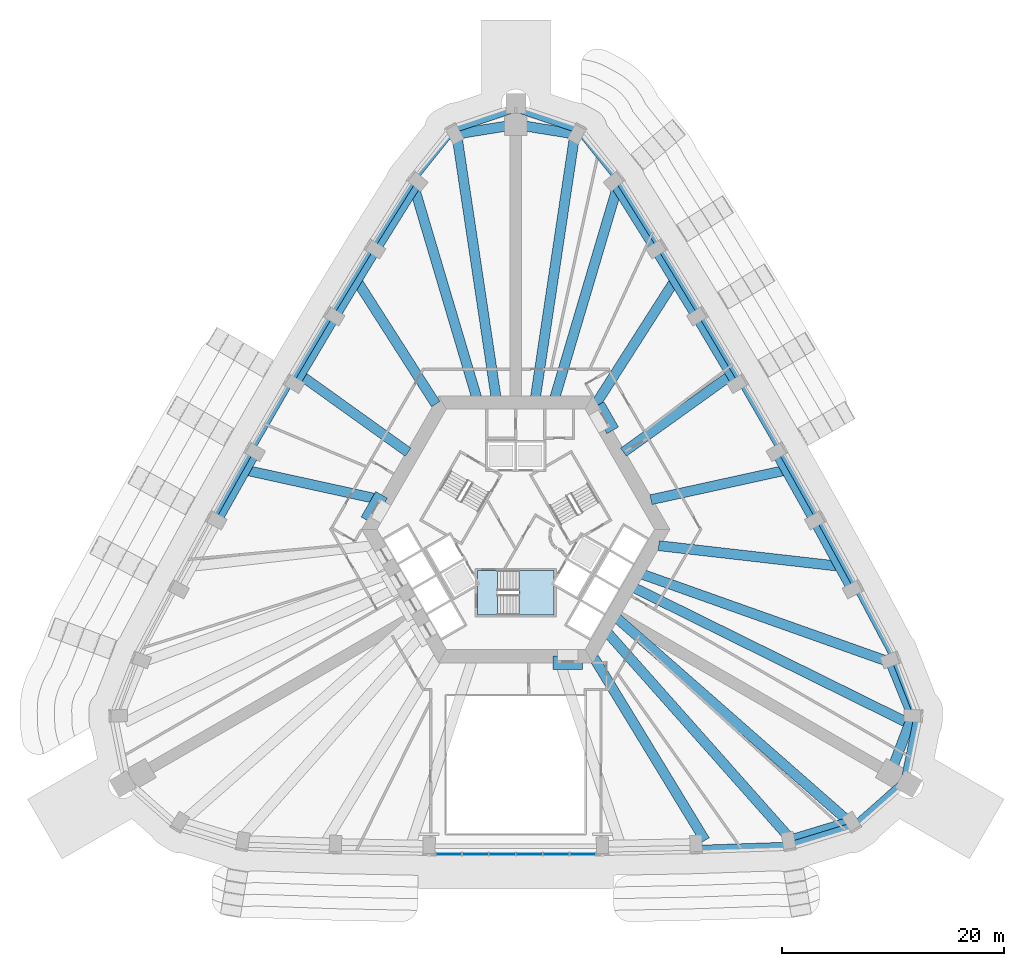
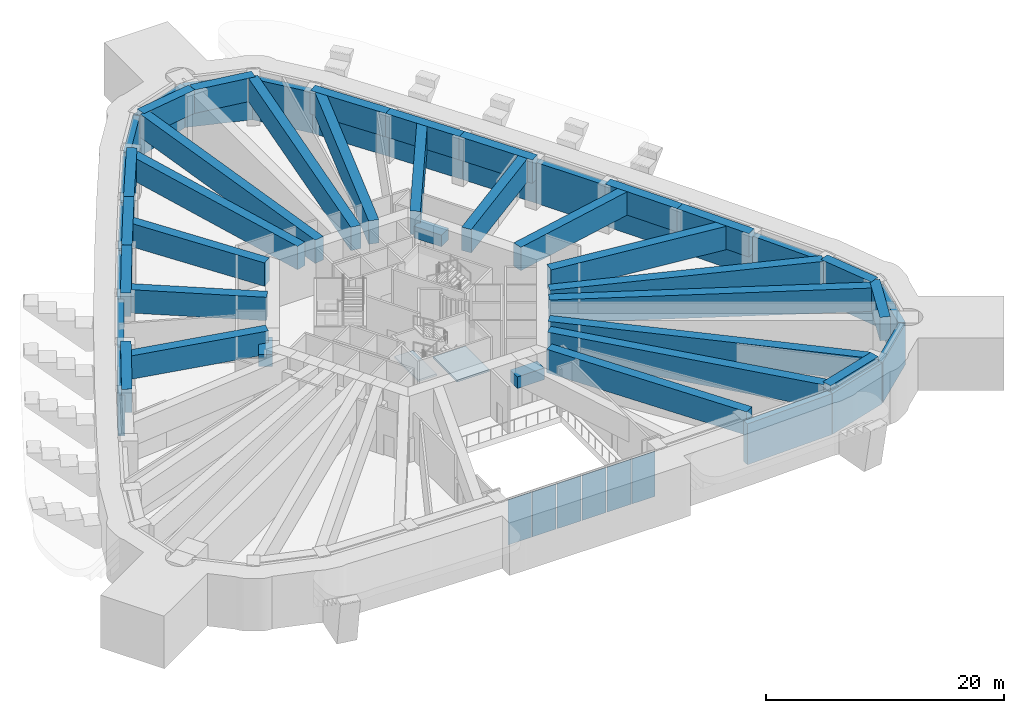
# One storey, part 3 of 20: 33 beams, 21 members, 6 plates, 2 slabs, 2 elements without a shape of their own.
"""IFC4 building model written with IfcOpenShell, lengths in metres."""

from ifc_helpers import new_model, si_unit, direction, frame, origin, origin_2d, place, context, subcontext, project, spatial, polyline, rectangle, outline, extrude, material, layer, layer_set, material_profile, profile_set, type_object, element, aggregate, save


model = new_model("IFC4")

# Units and contexts
model_context = context("Model", 3, precision=1e-05, world=origin(), true_north=direction((0.0, 1.0)))
body_context = subcontext(model_context, "Body", "Model", "MODEL_VIEW")
ifc_project = project(units=[si_unit("LENGTHUNIT", "METRE"), si_unit("AREAUNIT", "SQUARE_METRE"), si_unit("VOLUMEUNIT", "CUBIC_METRE"), si_unit("PLANEANGLEUNIT", "RADIAN"), si_unit("MASSUNIT", "GRAM", prefix="KILO")], contexts=[model_context])

# Site, building, storey
site_placement = place(None, origin())
site = spatial("IfcSite", under=ifc_project, at=site_placement, CompositionType="ELEMENT")
building_placement = place(site_placement, origin())
building = spatial("IfcBuilding", under=site, at=building_placement, Name="Entoto Arch Interchange Tower", CompositionType="ELEMENT")
storey_placement = place(building_placement, frame((0.0, 0.0, 184.39990234375)))
storey = spatial("IfcBuildingStorey", under=building, at=storey_placement, Name="L41", CompositionType="ELEMENT", Elevation=184.39990234375)

# Members
ifc_material_1 = material(Name="Concrete C50/60", Category="concrete")
ifc_material_profile_1 = material_profile(ifc_material_1, rectangle(XDim=0.60009765625, YDim=4.199951171875, at=origin_2d()))
ifc_profile_set_1 = profile_set([ifc_material_profile_1], Name="Concrete C50/60")
member_type = type_object("IfcMemberType", Name="Belt member RC 600x4200 C50/60", PredefinedType="USERDEFINED", material=ifc_profile_set_1)
member_1_placement = place(storey_placement, frame((16.221923828125, -26.201904296875, 2.10009765625), z_axis=(0.999409627733, 0.034356891506, 0.0), x_axis=(-0.034356891506, 0.999409627733, 0.0)))
element("IfcMember", 1, at=member_1_placement, inside=storey, type_object=member_type, Name="Belt beam 05 L41", ObjectType="BELT BEAM", PredefinedType="USERDEFINED", context=body_context, shape_type="SweptSolid", body=[
    extrude(rectangle(XDim=0.60009765625, YDim=4.199951171875, at=origin_2d()), origin(), (0.0, 0.0, 1.0), 8.3779296875),
])
member_2_placement = place(storey_placement, frame((24.594970703125, -25.9140625, 2.10009765625), z_axis=(0.955914069057, 0.29364654362, 0.0), x_axis=(-0.29364654362, 0.955914069057, 0.0)))
element("IfcMember", 2, at=member_2_placement, inside=storey, type_object=member_type, Name="Belt beam 06 L41", ObjectType="BELT BEAM", PredefinedType="USERDEFINED", context=body_context, shape_type="SweptSolid", body=[
    extrude(rectangle(XDim=0.60009765625, YDim=4.199951171875, at=origin_2d()), origin(), (0.0, 0.0, 1.0), 6.092529296875),
])
member_3_placement = place(storey_placement, frame((30.4189453125, -24.125, 2.10009765625), z_axis=(0.750140700189, 0.661278254535, 0.0), x_axis=(-0.661278254535, 0.750140700189, 0.0)))
element("IfcMember", 3, at=member_3_placement, inside=storey, type_object=member_type, Name="Belt beam 07 L41", ObjectType="BELT BEAM", PredefinedType="USERDEFINED", context=body_context, shape_type="SweptSolid", body=[
    extrude(rectangle(XDim=0.60009765625, YDim=4.199951171875, at=origin_2d()), origin(), (0.0, 0.0, 1.0), 5.99755859375),
])
member_4_placement = place(storey_placement, frame((34.91796875, -20.158935546875, 2.10009765625), z_axis=(0.197470796802, 0.980308769935, 0.0), x_axis=(-0.980308769935, 0.197470796802, 0.0)))
element("IfcMember", 4, at=member_4_placement, inside=storey, type_object=member_type, Name="Belt beam 08 L41", ObjectType="BELT BEAM", PredefinedType="USERDEFINED", context=body_context, shape_type="SweptSolid", body=[
    extrude(rectangle(XDim=0.60009765625, YDim=4.199951171875, at=origin_2d()), origin(), (0.0, 0.0, 1.0), 5.96044921875),
])
member_5_placement = place(storey_placement, frame((36.094970703125, -14.31591796875, 2.10009765625), z_axis=(-0.364909188347, 0.93104311622, 0.0), x_axis=(-0.93104311622, -0.364909188347, 0.0)))
element("IfcMember", 5, at=member_5_placement, inside=storey, type_object=member_type, Name="Belt beam 09 L41", ObjectType="BELT BEAM", PredefinedType="USERDEFINED", context=body_context, shape_type="SweptSolid", body=[
    extrude(rectangle(XDim=0.60009765625, YDim=4.199951171875, at=origin_2d()), origin(), (0.0, 0.0, 1.0), 5.560546875),
])
member_6_placement = place(storey_placement, frame((34.06591796875, -9.138916015625, 2.10009765625), z_axis=(-0.468778304304, 0.883315855973, 0.0), x_axis=(-0.883315855973, -0.468778304304, 0.0)))
element("IfcMember", 6, at=member_6_placement, inside=storey, type_object=member_type, Name="Belt beam 10 L41", ObjectType="BELT BEAM", PredefinedType="USERDEFINED", context=body_context, shape_type="SweptSolid", body=[
    extrude(rectangle(XDim=0.60009765625, YDim=4.199951171875, at=origin_2d()), origin(), (0.0, 0.0, 1.0), 7.2783203125),
])
member_7_placement = place(storey_placement, frame((30.654052734375, -2.7099609375, 2.10009765625), z_axis=(-0.479292334149, 0.877655318691, 0.0), x_axis=(-0.877655318691, -0.479292334149, 0.0)))
element("IfcMember", 7, at=member_7_placement, inside=storey, type_object=member_type, Name="Belt beam 11 L41", ObjectType="BELT BEAM", PredefinedType="USERDEFINED", context=body_context, shape_type="SweptSolid", body=[
    extrude(rectangle(XDim=0.60009765625, YDim=4.199951171875, at=origin_2d()), origin(), (0.0, 0.0, 1.0), 7.0712890625),
])
member_8_placement = place(storey_placement, frame((27.264892578125, 3.49609375, 2.10009765625), z_axis=(-0.489639774428, 0.871924819751, 0.0), x_axis=(-0.871924819751, -0.489639774428, 0.0)))
element("IfcMember", 8, at=member_8_placement, inside=storey, type_object=member_type, Name="Belt beam 12 L41", ObjectType="BELT BEAM", PredefinedType="USERDEFINED", context=body_context, shape_type="SweptSolid", body=[
    extrude(rectangle(XDim=0.60009765625, YDim=4.199951171875, at=origin_2d()), origin(), (0.0, 0.0, 1.0), 7.0703125),
])
member_9_placement = place(storey_placement, frame((23.802978515625, 9.660888671875, 2.10009765625), z_axis=(-0.499975532338, 0.866039529735, 0.0), x_axis=(-0.866039529735, -0.499975532338, 0.0)))
element("IfcMember", 9, at=member_9_placement, inside=storey, type_object=member_type, Name="Belt beam 13 L41", ObjectType="BELT BEAM", PredefinedType="USERDEFINED", context=body_context, shape_type="SweptSolid", body=[
    extrude(rectangle(XDim=0.60009765625, YDim=4.199951171875, at=origin_2d()), origin(), (0.0, 0.0, 1.0), 7.070068359375),
])
member_10_placement = place(storey_placement, frame((20.26806640625, 15.783935546875, 2.10009765625), z_axis=(-0.510178103245, 0.860068778046, 0.0), x_axis=(-0.860068778046, -0.510178103245, 0.0)))
element("IfcMember", 10, at=member_10_placement, inside=storey, type_object=member_type, Name="Belt beam 14 L41", ObjectType="BELT BEAM", PredefinedType="USERDEFINED", context=body_context, shape_type="SweptSolid", body=[
    extrude(rectangle(XDim=0.60009765625, YDim=4.199951171875, at=origin_2d()), origin(), (0.0, 0.0, 1.0), 7.0703125),
])
member_11_placement = place(storey_placement, frame((16.660888671875, 21.864990234375, 2.10009765625), z_axis=(-0.5205196441, 0.853849694095, 0.0), x_axis=(-0.853849694095, -0.5205196441, 0.0)))
element("IfcMember", 11, at=member_11_placement, inside=storey, type_object=member_type, Name="Belt beam 15 L41", ObjectType="BELT BEAM", PredefinedType="USERDEFINED", context=body_context, shape_type="SweptSolid", body=[
    extrude(rectangle(XDim=0.60009765625, YDim=4.199951171875, at=origin_2d()), origin(), (0.0, 0.0, 1.0), 7.071533203125),
])
member_12_placement = place(storey_placement, frame((12.97998046875, 27.903076171875, 2.10009765625), z_axis=(-0.530794758965, 0.847500397554, 0.0), x_axis=(-0.847500397554, -0.530794758965, 0.0)))
element("IfcMember", 12, at=member_12_placement, inside=storey, type_object=member_type, Name="Belt beam 16 L41", ObjectType="BELT BEAM", PredefinedType="USERDEFINED", context=body_context, shape_type="SweptSolid", body=[
    extrude(rectangle(XDim=0.60009765625, YDim=4.199951171875, at=origin_2d()), origin(), (0.0, 0.0, 1.0), 7.27783203125),
])
member_13_placement = place(storey_placement, frame((9.116943359375, 34.071044921875, 2.10009765625), z_axis=(-0.623714379408, 0.78165233507, 0.0), x_axis=(-0.78165233507, -0.623714379408, 0.0)))
element("IfcMember", 13, at=member_13_placement, inside=storey, type_object=member_type, Name="Belt beam 17 L41", ObjectType="BELT BEAM", PredefinedType="USERDEFINED", context=body_context, shape_type="SweptSolid", body=[
    extrude(rectangle(XDim=0.60009765625, YDim=4.199951171875, at=origin_2d()), origin(), (0.0, 0.0, 1.0), 5.55859375),
])
for number, where, z_axis, x_axis, name in (
    (14, (5.64990234375, 38.416015625, 2.10009765625), (-0.947683496424, 0.319211513898, 0.0), (-0.319211513898, -0.947683496424, 0.0), "Belt beam 18 L41"),
    (15, (0.0, 40.319091796875, 2.10009765625), (-0.947683496424, -0.319211513898, 0.0), (0.319211513898, -0.947683496424, 0.0), "Belt beam 19 L41"),
):
    element("IfcMember", number, at=place(storey_placement, frame(where, z_axis=z_axis, x_axis=x_axis)), inside=storey, type_object=member_type, Name=name, ObjectType="BELT BEAM", PredefinedType="USERDEFINED", context=body_context, shape_type="SweptSolid", body=[
        extrude(rectangle(XDim=0.60009765625, YDim=4.199951171875, at=origin_2d()), origin(), (0.0, 0.0, 1.0), 5.9619140625),
    ])
member_14_placement = place(storey_placement, frame((-5.64990234375, 38.416015625, 2.10009765625), z_axis=(-0.623714379408, -0.78165233507, 0.0), x_axis=(0.78165233507, -0.623714379408, 0.0)))
element("IfcMember", 16, at=member_14_placement, inside=storey, type_object=member_type, Name="Belt beam 20 L41", ObjectType="BELT BEAM", PredefinedType="USERDEFINED", context=body_context, shape_type="SweptSolid", body=[
    extrude(rectangle(XDim=0.60009765625, YDim=4.199951171875, at=origin_2d()), origin(), (0.0, 0.0, 1.0), 5.55859375),
])
member_15_placement = place(storey_placement, frame((-9.116943359375, 34.071044921875, 2.10009765625), z_axis=(-0.530794758965, -0.847500397554, 0.0), x_axis=(0.847500397554, -0.530794758965, 0.0)))
element("IfcMember", 17, at=member_15_placement, inside=storey, type_object=member_type, Name="Belt beam 21 L41", ObjectType="BELT BEAM", PredefinedType="USERDEFINED", context=body_context, shape_type="SweptSolid", body=[
    extrude(rectangle(XDim=0.60009765625, YDim=4.199951171875, at=origin_2d()), origin(), (0.0, 0.0, 1.0), 7.27783203125),
])
member_16_placement = place(storey_placement, frame((-12.97998046875, 27.903076171875, 2.10009765625), z_axis=(-0.5205196441, -0.853849694095, 0.0), x_axis=(0.853849694095, -0.5205196441, 0.0)))
element("IfcMember", 18, at=member_16_placement, inside=storey, type_object=member_type, Name="Belt beam 22 L41", ObjectType="BELT BEAM", PredefinedType="USERDEFINED", context=body_context, shape_type="SweptSolid", body=[
    extrude(rectangle(XDim=0.60009765625, YDim=4.199951171875, at=origin_2d()), origin(), (0.0, 0.0, 1.0), 7.071533203125),
])
member_17_placement = place(storey_placement, frame((-16.660888671875, 21.864990234375, 2.10009765625), z_axis=(-0.510178103245, -0.860068778046, 0.0), x_axis=(0.860068778046, -0.510178103245, 0.0)))
element("IfcMember", 19, at=member_17_placement, inside=storey, type_object=member_type, Name="Belt beam 23 L41", ObjectType="BELT BEAM", PredefinedType="USERDEFINED", context=body_context, shape_type="SweptSolid", body=[
    extrude(rectangle(XDim=0.60009765625, YDim=4.199951171875, at=origin_2d()), origin(), (0.0, 0.0, 1.0), 7.0703125),
])
member_18_placement = place(storey_placement, frame((-20.26806640625, 15.783935546875, 2.10009765625), z_axis=(-0.499975532338, -0.866039529735, 0.0), x_axis=(0.866039529735, -0.499975532338, 0.0)))
element("IfcMember", 20, at=member_18_placement, inside=storey, type_object=member_type, Name="Belt beam 24 L41", ObjectType="BELT BEAM", PredefinedType="USERDEFINED", context=body_context, shape_type="SweptSolid", body=[
    extrude(rectangle(XDim=0.60009765625, YDim=4.199951171875, at=origin_2d()), origin(), (0.0, 0.0, 1.0), 7.070068359375),
])
member_19_placement = place(storey_placement, frame((-23.802978515625, 9.660888671875, 2.10009765625), z_axis=(-0.489639774428, -0.871924819751, 0.0), x_axis=(0.871924819751, -0.489639774428, 0.0)))
element("IfcMember", 21, at=member_19_placement, inside=storey, type_object=member_type, Name="Belt beam 25 L41", ObjectType="BELT BEAM", PredefinedType="USERDEFINED", context=body_context, shape_type="SweptSolid", body=[
    extrude(rectangle(XDim=0.60009765625, YDim=4.199951171875, at=origin_2d()), origin(), (0.0, 0.0, 1.0), 7.0703125),
])

# Beams
ifc_material_profile_2 = material_profile(ifc_material_1, rectangle(XDim=1.199951171875, YDim=1.199951171875, at=origin_2d()))
ifc_profile_set_2 = profile_set([ifc_material_profile_2], Name="Concrete C50/60")
beam_type_1 = type_object("IfcBeamType", Name="Coupling beam RC 1200x1200 C50/60", PredefinedType="BEAM", material=ifc_profile_set_2)
for number, where, z_axis, x_axis, name in (
    (22, (8.718017578125, 11.40087890625, 3.0), (-0.499912608224, 0.866075853571, 0.0), (-0.866075853571, -0.499912608224, 0.0), "Coupling beam NE L41"),
    (23, (-12.06689453125, 5.59912109375, 3.0), (-0.499982224273, -0.866035666362, 0.0), (0.866035666362, -0.499982224273, 0.0), "Coupling beam NW L41"),
):
    element("IfcBeam", number, at=place(storey_placement, frame(where, z_axis=z_axis, x_axis=x_axis)), inside=storey, type_object=beam_type_1, Name=name, PredefinedType="BEAM", context=body_context, shape_type="SweptSolid", body=[
        extrude(rectangle(XDim=1.199951171875, YDim=1.199951171875, at=origin_2d()), origin(), (0.0, 0.0, 1.0), 2.63037109375),
    ])
beam_1_placement = place(storey_placement, frame((3.35009765625, -9.5, 3.0), z_axis=(1.0, 0.0, 0.0), x_axis=(0.0, 1.0, 0.0)))
element("IfcBeam", 24, at=beam_1_placement, inside=storey, type_object=beam_type_1, Name="Coupling beam S L41", PredefinedType="BEAM", context=body_context, shape_type="SweptSolid", body=[
    extrude(rectangle(XDim=1.199951171875, YDim=1.199951171875, at=origin_2d()), origin(), (0.0, 0.0, 1.0), 2.6298828125),
])
ifc_material_profile_3 = material_profile(ifc_material_1, rectangle(XDim=0.89990234375, YDim=2.39990234375, at=origin_2d()))
ifc_profile_set_3 = profile_set([ifc_material_profile_3], Name="Concrete C50/60")
beam_type_2 = type_object("IfcBeamType", Name="Transfer beam RC 900x2400 C50/60", PredefinedType="BEAM", material=ifc_profile_set_3)
beam_2_placement = place(storey_placement, frame((7.031982421875, -9.055908203125, 3.60009765625), z_axis=(0.519813021279, -0.854280061168, 0.0), x_axis=(0.854280061168, 0.519813021279, 0.0)))
element("IfcBeam", 25, at=beam_2_placement, inside=storey, type_object=beam_type_2, Name="Transfer beam S05 L41", PredefinedType="BEAM", context=body_context, shape_type="SweptSolid", body=[
    extrude(rectangle(XDim=0.89990234375, YDim=2.39990234375, at=origin_2d()), origin(), (0.0, 0.0, 1.0), 19.201171875),
])
beam_3_placement = place(storey_placement, frame((8.294921875, -6.846923828125, 3.60009765625), z_axis=(0.663776106148, -0.747931334353, 0.0), x_axis=(0.747931334353, 0.663776106148, 0.0)))
element("IfcBeam", 26, at=beam_3_placement, inside=storey, type_object=beam_type_2, Name="Transfer beam S06 L41", PredefinedType="BEAM", context=body_context, shape_type="SweptSolid", body=[
    extrude(rectangle(XDim=0.89990234375, YDim=2.39990234375, at=origin_2d()), origin(), (0.0, 0.0, 1.0), 24.50244140625),
])
beam_4_placement = place(storey_placement, frame((24.51806640625, -25.469970703125, 3.60009765625), z_axis=(0.95689677686, 0.290428232849, 0.0), x_axis=(-0.290428232849, 0.95689677686, 0.0)))
element("IfcBeam", 27, at=beam_4_placement, inside=storey, type_object=beam_type_2, Name="Transfer girder S06 L41", PredefinedType="BEAM", context=body_context, shape_type="SweptSolid", body=[
    extrude(rectangle(XDim=0.89990234375, YDim=2.39990234375, at=origin_2d()), origin(), (0.0, 0.0, 1.0), 5.90869140625),
])
beam_5_placement = place(storey_placement, frame((9.083984375, -5.470947265625, 3.60009765625), z_axis=(0.751634040865, -0.659580373126, 0.0), x_axis=(0.659580373126, 0.751634040865, 0.0)))
element("IfcBeam", 28, at=beam_5_placement, inside=storey, type_object=beam_type_2, Name="Transfer beam SE1 L41", PredefinedType="BEAM", context=body_context, shape_type="SweptSolid", body=[
    extrude(rectangle(XDim=0.89990234375, YDim=2.39990234375, at=origin_2d()), origin(), (0.0, 0.0, 1.0), 27.505615234375),
])
beam_6_placement = place(storey_placement, frame((10.64794921875, -2.758056640625, 3.60009765625), z_axis=(0.896629781891, -0.442781022884, 0.0), x_axis=(0.442781022884, 0.896629781891, 0.0)))
element("IfcBeam", 29, at=beam_6_placement, inside=storey, type_object=beam_type_2, Name="Transfer beam SE3 L41", PredefinedType="BEAM", context=body_context, shape_type="SweptSolid", body=[
    extrude(rectangle(XDim=0.89990234375, YDim=2.39990234375, at=origin_2d()), origin(), (0.0, 0.0, 1.0), 27.28662109375),
])
beam_7_placement = place(storey_placement, frame((33.679931640625, -19.444091796875, 3.60009765625), z_axis=(0.355911254477, 0.934519758452, 0.0), x_axis=(-0.934519758452, 0.355911254477, 0.0)))
element("IfcBeam", 30, at=beam_7_placement, inside=storey, type_object=beam_type_2, Name="Transfer girder SE3 L41", PredefinedType="BEAM", context=body_context, shape_type="SweptSolid", body=[
    extrude(rectangle(XDim=0.89990234375, YDim=2.39990234375, at=origin_2d()), origin(), (0.0, 0.0, 1.0), 5.554931640625),
])
beam_8_placement = place(storey_placement, frame((11.35791015625, -1.531982421875, 3.60009765625), z_axis=(0.942373998931, -0.334561274116, 0.0), x_axis=(0.334561274116, 0.942373998931, 0.0)))
element("IfcBeam", 31, at=beam_8_placement, inside=storey, type_object=beam_type_2, Name="Transfer beam NE01 L41", PredefinedType="BEAM", context=body_context, shape_type="SweptSolid", body=[
    extrude(rectangle(XDim=0.89990234375, YDim=2.39990234375, at=origin_2d()), origin(), (0.0, 0.0, 1.0), 23.418701171875),
])
beam_9_placement = place(storey_placement, frame((35.656982421875, -14.2529296875, 3.60009765625), z_axis=(-0.376957012581, 0.926230754545, 0.0), x_axis=(-0.926230754545, -0.376957012581, 0.0)))
element("IfcBeam", 32, at=beam_9_placement, inside=storey, type_object=beam_type_2, Name="Transfer girder NE01 L41", PredefinedType="BEAM", context=body_context, shape_type="SweptSolid", body=[
    extrude(rectangle(XDim=0.89990234375, YDim=2.39990234375, at=origin_2d()), origin(), (0.0, 0.0, 1.0), 5.38525390625),
])
beam_10_placement = place(storey_placement, frame((12.85107421875, 1.033935546875, 3.60009765625), z_axis=(0.993557055038, -0.113333041888, 0.0), x_axis=(0.113333041888, 0.993557055038, 0.0)))
element("IfcBeam", 33, at=beam_10_placement, inside=storey, type_object=beam_type_2, Name="Transfer beam NE02 L41", PredefinedType="BEAM", context=body_context, shape_type="SweptSolid", body=[
    extrude(rectangle(XDim=0.89990234375, YDim=2.39990234375, at=origin_2d()), origin(), (0.0, 0.0, 1.0), 16.057373046875),
])
beam_11_placement = place(storey_placement, frame((30.251953125, -2.922119140625, 3.60009765625), z_axis=(-0.479401638479, 0.877595618166, 0.0), x_axis=(-0.877595618166, -0.479401638479, 0.0)))
element("IfcBeam", 34, at=beam_11_placement, inside=storey, type_object=beam_type_2, Name="Transfer girder NE02 L41", PredefinedType="BEAM", context=body_context, shape_type="SweptSolid", body=[
    extrude(rectangle(XDim=0.89990234375, YDim=2.39990234375, at=origin_2d()), origin(), (0.0, 0.0, 1.0), 7.06494140625),
])
beam_12_placement = place(storey_placement, frame((12.153076171875, 5.1650390625, 3.60009765625), z_axis=(0.976796167871, 0.21417106815, 0.0), x_axis=(-0.21417106815, 0.976796167871, 0.0)))
element("IfcBeam", 35, at=beam_12_placement, inside=storey, type_object=beam_type_2, Name="Transfer beam NE03 L41", PredefinedType="BEAM", context=body_context, shape_type="SweptSolid", body=[
    extrude(rectangle(XDim=0.89990234375, YDim=2.39990234375, at=origin_2d()), origin(), (0.0, 0.0, 1.0), 12.144775390625),
])
beam_13_placement = place(storey_placement, frame((26.864990234375, 3.278076171875, 3.60009765625), z_axis=(-0.489632513848, 0.871928896977, 0.0), x_axis=(-0.871928896977, -0.489632513848, 0.0)))
element("IfcBeam", 36, at=beam_13_placement, inside=storey, type_object=beam_type_2, Name="Transfer girder NE03 L41", PredefinedType="BEAM", context=body_context, shape_type="SweptSolid", body=[
    extrude(rectangle(XDim=0.89990234375, YDim=2.39990234375, at=origin_2d()), origin(), (0.0, 0.0, 1.0), 7.0625),
])
beam_14_placement = place(storey_placement, frame((9.679931640625, 9.43505859375, 3.60009765625), z_axis=(0.812913159186, 0.582384920497, 0.0), x_axis=(-0.582384920497, 0.812913159186, 0.0)))
element("IfcBeam", 37, at=beam_14_placement, inside=storey, type_object=beam_type_2, Name="Transfer beam NE04 L41", PredefinedType="BEAM", context=body_context, shape_type="SweptSolid", body=[
    extrude(rectangle(XDim=0.89990234375, YDim=2.39990234375, at=origin_2d()), origin(), (0.0, 0.0, 1.0), 11.634765625),
])
beam_15_placement = place(storey_placement, frame((19.8759765625, 15.553955078125, 3.60009765625), z_axis=(-0.510285553106, 0.86000503155, 0.0), x_axis=(-0.86000503155, -0.510285553106, 0.0)))
element("IfcBeam", 38, at=beam_15_placement, inside=storey, type_object=beam_type_2, Name="Transfer girder NE04 L41", PredefinedType="BEAM", context=body_context, shape_type="SweptSolid", body=[
    extrude(rectangle(XDim=0.89990234375, YDim=2.39990234375, at=origin_2d()), origin(), (0.0, 0.0, 1.0), 7.062744140625),
])
beam_16_placement = place(storey_placement, frame((7.197998046875, 13.76611328125, 3.60009765625), z_axis=(0.538419936208, 0.842676671265, 0.0), x_axis=(-0.842676671265, 0.538419936208, 0.0)))
element("IfcBeam", 39, at=beam_16_placement, inside=storey, type_object=beam_type_2, Name="Transfer beam NE05 L41", PredefinedType="BEAM", context=body_context, shape_type="SweptSolid", body=[
    extrude(rectangle(XDim=0.89990234375, YDim=2.39990234375, at=origin_2d()), origin(), (0.0, 0.0, 1.0), 12.88037109375),
])
beam_17_placement = place(storey_placement, frame((16.27197265625, 21.6279296875, 3.60009765625), z_axis=(-0.520399707258, 0.853922797849, 0.0), x_axis=(-0.853922797849, -0.520399707258, 0.0)))
element("IfcBeam", 40, at=beam_17_placement, inside=storey, type_object=beam_type_2, Name="Transfer girder NE05 L41", PredefinedType="BEAM", context=body_context, shape_type="SweptSolid", body=[
    extrude(rectangle(XDim=0.89990234375, YDim=2.39990234375, at=origin_2d()), origin(), (0.0, 0.0, 1.0), 7.06396484375),
])
beam_18_placement = place(storey_placement, frame((3.51904296875, 14.35595703125, 3.60009765625), z_axis=(0.28452015401, 0.958670058968, 0.0), x_axis=(-0.958670058968, 0.28452015401, 0.0)))
element("IfcBeam", 41, at=beam_18_placement, inside=storey, type_object=beam_type_2, Name="Transfer beam NE06 L41", PredefinedType="BEAM", context=body_context, shape_type="SweptSolid", body=[
    extrude(rectangle(XDim=0.89990234375, YDim=2.39990234375, at=origin_2d()), origin(), (0.0, 0.0, 1.0), 19.383056640625),
])
beam_19_placement = place(storey_placement, frame((12.595947265625, 27.659912109375, 3.60009765625), z_axis=(-0.529812623101, 0.848114723609, 0.0), x_axis=(-0.848114723609, -0.529812623101, 0.0)))
element("IfcBeam", 42, at=beam_19_placement, inside=storey, type_object=beam_type_2, Name="Transfer girder NE06 L41", PredefinedType="BEAM", context=body_context, shape_type="SweptSolid", body=[
    extrude(rectangle(XDim=0.89990234375, YDim=2.39990234375, at=origin_2d()), origin(), (0.0, 0.0, 1.0), 7.185302734375),
])
beam_20_placement = place(storey_placement, frame((1.77099609375, 14.35205078125, 3.60009765625), z_axis=(0.147858251506, 0.989008562886, 0.0), x_axis=(-0.989008562886, 0.147858251506, 0.0)))
element("IfcBeam", 43, at=beam_20_placement, inside=storey, type_object=beam_type_2, Name="Transfer beam N1 L41", PredefinedType="BEAM", context=body_context, shape_type="SweptSolid", body=[
    extrude(rectangle(XDim=0.89990234375, YDim=2.39990234375, at=origin_2d()), origin(), (0.0, 0.0, 1.0), 23.64501953125),
])
beam_21_placement = place(storey_placement, frame((5.485107421875, 38.006103515625, 3.60009765625), z_axis=(-0.987294324434, 0.158902224469, 0.0), x_axis=(-0.158902224469, -0.987294324434, 0.0)))
element("IfcBeam", 44, at=beam_21_placement, inside=storey, type_object=beam_type_2, Name="Transfer girder N1 L41", PredefinedType="BEAM", context=body_context, shape_type="SweptSolid", body=[
    extrude(rectangle(XDim=0.89990234375, YDim=2.39990234375, at=origin_2d()), origin(), (0.0, 0.0, 1.0), 5.5556640625),
])
beam_22_placement = place(storey_placement, frame((-1.77099609375, 14.35205078125, 3.60009765625), z_axis=(-0.147858251506, 0.989008562886, 0.0), x_axis=(-0.989008562886, -0.147858251506, 0.0)))
element("IfcBeam", 45, at=beam_22_placement, inside=storey, type_object=beam_type_2, Name="Transfer beam N3 L41", PredefinedType="BEAM", context=body_context, shape_type="SweptSolid", body=[
    extrude(rectangle(XDim=0.89990234375, YDim=2.39990234375, at=origin_2d()), origin(), (0.0, 0.0, 1.0), 23.64501953125),
])
beam_23_placement = place(storey_placement, frame((0.0, 38.888916015625, 3.60009765625), z_axis=(-0.987294324434, -0.158902224469, 0.0), x_axis=(0.158902224469, -0.987294324434, 0.0)))
element("IfcBeam", 46, at=beam_23_placement, inside=storey, type_object=beam_type_2, Name="Transfer girder N3 L41", PredefinedType="BEAM", context=body_context, shape_type="SweptSolid", body=[
    extrude(rectangle(XDim=0.89990234375, YDim=2.39990234375, at=origin_2d()), origin(), (0.0, 0.0, 1.0), 5.5556640625),
])
beam_24_placement = place(storey_placement, frame((-3.51904296875, 14.35595703125, 3.60009765625), z_axis=(-0.28452015401, 0.958670058968, 0.0), x_axis=(-0.958670058968, -0.28452015401, 0.0)))
element("IfcBeam", 47, at=beam_24_placement, inside=storey, type_object=beam_type_2, Name="Transfer beam NW01 L41", PredefinedType="BEAM", context=body_context, shape_type="SweptSolid", body=[
    extrude(rectangle(XDim=0.89990234375, YDim=2.39990234375, at=origin_2d()), origin(), (0.0, 0.0, 1.0), 19.383056640625),
])
beam_25_placement = place(storey_placement, frame((-8.7890625, 33.75390625, 3.60009765625), z_axis=(-0.529812623101, -0.848114723609, 0.0), x_axis=(0.848114723609, -0.529812623101, 0.0)))
element("IfcBeam", 48, at=beam_25_placement, inside=storey, type_object=beam_type_2, Name="Transfer girder NW01 L41", PredefinedType="BEAM", context=body_context, shape_type="SweptSolid", body=[
    extrude(rectangle(XDim=0.89990234375, YDim=2.39990234375, at=origin_2d()), origin(), (0.0, 0.0, 1.0), 7.185302734375),
])
beam_26_placement = place(storey_placement, frame((-7.197998046875, 13.76611328125, 3.60009765625), z_axis=(-0.538419936208, 0.842676671265, 0.0), x_axis=(-0.842676671265, -0.538419936208, 0.0)))
element("IfcBeam", 49, at=beam_26_placement, inside=storey, type_object=beam_type_2, Name="Transfer beam NW02 L41", PredefinedType="BEAM", context=body_context, shape_type="SweptSolid", body=[
    extrude(rectangle(XDim=0.89990234375, YDim=2.39990234375, at=origin_2d()), origin(), (0.0, 0.0, 1.0), 12.88037109375),
])
beam_27_placement = place(storey_placement, frame((-12.595947265625, 27.659912109375, 3.60009765625), z_axis=(-0.520399707258, -0.853922797849, 0.0), x_axis=(0.853922797849, -0.520399707258, 0.0)))
element("IfcBeam", 50, at=beam_27_placement, inside=storey, type_object=beam_type_2, Name="Transfer girder NW02 L41", PredefinedType="BEAM", context=body_context, shape_type="SweptSolid", body=[
    extrude(rectangle(XDim=0.89990234375, YDim=2.39990234375, at=origin_2d()), origin(), (0.0, 0.0, 1.0), 7.06396484375),
])
beam_28_placement = place(storey_placement, frame((-9.679931640625, 9.43505859375, 3.60009765625), z_axis=(-0.812913159186, 0.582384920497, 0.0), x_axis=(-0.582384920497, -0.812913159186, 0.0)))
element("IfcBeam", 51, at=beam_28_placement, inside=storey, type_object=beam_type_2, Name="Transfer beam NW03 L41", PredefinedType="BEAM", context=body_context, shape_type="SweptSolid", body=[
    extrude(rectangle(XDim=0.89990234375, YDim=2.39990234375, at=origin_2d()), origin(), (0.0, 0.0, 1.0), 11.634765625),
])
beam_29_placement = place(storey_placement, frame((-16.27197265625, 21.6279296875, 3.60009765625), z_axis=(-0.510285553106, -0.86000503155, 0.0), x_axis=(0.86000503155, -0.510285553106, 0.0)))
element("IfcBeam", 52, at=beam_29_placement, inside=storey, type_object=beam_type_2, Name="Transfer girder NW03 L41", PredefinedType="BEAM", context=body_context, shape_type="SweptSolid", body=[
    extrude(rectangle(XDim=0.89990234375, YDim=2.39990234375, at=origin_2d()), origin(), (0.0, 0.0, 1.0), 7.062744140625),
])
beam_30_placement = place(storey_placement, frame((-12.153076171875, 5.1650390625, 3.60009765625), z_axis=(-0.976796167871, 0.21417106815, 0.0), x_axis=(-0.21417106815, -0.976796167871, 0.0)))
element("IfcBeam", 53, at=beam_30_placement, inside=storey, type_object=beam_type_2, Name="Transfer beam NW04 L41", PredefinedType="BEAM", context=body_context, shape_type="SweptSolid", body=[
    extrude(rectangle(XDim=0.89990234375, YDim=2.39990234375, at=origin_2d()), origin(), (0.0, 0.0, 1.0), 12.144775390625),
])
beam_31_placement = place(storey_placement, frame((-23.406982421875, 9.43603515625, 3.60009765625), z_axis=(-0.489632513848, -0.871928896977, 0.0), x_axis=(0.871928896977, -0.489632513848, 0.0)))
element("IfcBeam", 54, at=beam_31_placement, inside=storey, type_object=beam_type_2, Name="Transfer girder NW04 L41", PredefinedType="BEAM", context=body_context, shape_type="SweptSolid", body=[
    extrude(rectangle(XDim=0.89990234375, YDim=2.39990234375, at=origin_2d()), origin(), (0.0, 0.0, 1.0), 7.0625),
])

# Stair, slabs
ifc_material_2 = material(Name="Concrete C40/50", Category="concrete")
stair_type = type_object("IfcStairType", Name="EXIT STAIR RC 1800", PredefinedType="HALF_TURN_STAIR", material=ifc_material_2)
stair_placement = place(storey_placement, origin())
stair = element("IfcStair", 55, at=stair_placement, inside=storey, type_object=stair_type, Name="L41 Exit stair S", PredefinedType="HALF_TURN_STAIR")
ifc_layer_1 = layer(ifc_material_2, 0.199951171875)
ifc_layer_set_1 = layer_set([ifc_layer_1], Name="Concrete C40/50")
slab_type = type_object("IfcSlabType", Name="EXIT STAIR LANDING RC 200", PredefinedType="LANDING", material=ifc_layer_set_1)
slab_1_placement = place(storey_placement, frame((0.0, 0.0, 1.150146484375)))
slab_1 = element("IfcSlab", 56, at=slab_1_placement, type_object=slab_type, Name="ST-S landing 1", PredefinedType="LANDING", context=body_context, shape_type="SweptSolid", body=[
    extrude(outline(polyline([(0.31005859375, -5.199951171875), (3.449951171875, -5.199951171875), (3.449951171875, -1.199951171875), (0.31005859375, -1.199951171875), (0.31005859375, -5.199951171875)])), origin(), (0.0, 0.0, 1.0), 0.199951171875),
])
slab_2_placement = place(storey_placement, frame((0.0, 0.0, 2.5)))
slab_2 = element("IfcSlab", 57, at=slab_2_placement, type_object=slab_type, Name="ST-S landing 2", PredefinedType="LANDING", context=body_context, shape_type="SweptSolid", body=[
    extrude(outline(polyline([(-3.449951171875, -5.199951171875), (-1.64990234375, -5.199951171875), (-1.64990234375, -1.199951171875), (-3.449951171875, -1.199951171875), (-3.449951171875, -5.199951171875)])), origin(), (0.0, 0.0, 1.0), 0.2001953125),
])
aggregate(stair, [slab_1, slab_2])

# Curtain wall, plates
ifc_material_3 = material(Name="Aluminium, anodised", Category="aluminium")
curtain_wall_type = type_object("IfcCurtainWallType", Name="CURTAIN WALL ATRIUM", PredefinedType="NOTDEFINED", material=ifc_material_3)
curtain_wall_placement = place(storey_placement, origin())
curtain_wall = element("IfcCurtainWall", 58, at=curtain_wall_placement, inside=storey, type_object=curtain_wall_type, Name="Atrium glazing S-03 L41", PredefinedType="NOTDEFINED")
ifc_material_4 = material(Name="Clear glass, low-e double glazed", Category="glass")
ifc_layer_2 = layer(ifc_material_4, 0.031982421875)
ifc_layer_set_2 = layer_set([ifc_layer_2], Name="Clear glass, low-e double glazed")
plate_type = type_object("IfcPlateType", Name="GLAZING PANEL ATRIUM 32", PredefinedType="CURTAIN_PANEL", material=ifc_layer_set_2)
plate_1_placement = place(storey_placement, frame((-6.015869140625, -26.69189453125, 0.080078125), z_axis=(0.0, 0.0, 1.0), x_axis=(1.0, 0.0, 0.0)))
plate_1 = element("IfcPlate", 59, at=plate_1_placement, type_object=plate_type, Name="CWA panel 1.1", PredefinedType="CURTAIN_PANEL", context=body_context, shape_type="SweptSolid", body=[
    extrude(rectangle(XDim=2.266357421875, YDim=0.031982421875, at=origin_2d()), origin(), (0.0, 0.0, 1.0), 4.639892578125),
])
plate_2_placement = place(storey_placement, frame((-3.62451171875, -26.69189453125, 0.080078125), z_axis=(0.0, 0.0, 1.0), x_axis=(1.0, 0.0, 0.0)))
plate_2 = element("IfcPlate", 60, at=plate_2_placement, type_object=plate_type, Name="CWA panel 2.1", PredefinedType="CURTAIN_PANEL", context=body_context, shape_type="SweptSolid", body=[
    extrude(rectangle(XDim=2.31640625, YDim=0.031982421875, at=origin_2d()), origin(), (0.0, 0.0, 1.0), 4.639892578125),
])
plate_3_placement = place(storey_placement, frame((-1.208251953125, -26.69189453125, 0.080078125), z_axis=(0.0, 0.0, 1.0), x_axis=(1.0, 0.0, 0.0)))
plate_3 = element("IfcPlate", 61, at=plate_3_placement, type_object=plate_type, Name="CWA panel 3.1", PredefinedType="CURTAIN_PANEL", context=body_context, shape_type="SweptSolid", body=[
    extrude(rectangle(XDim=2.31640625, YDim=0.031982421875, at=origin_2d()), origin(), (0.0, 0.0, 1.0), 4.639892578125),
])
plate_4_placement = place(storey_placement, frame((1.208251953125, -26.69189453125, 0.080078125), z_axis=(0.0, 0.0, 1.0), x_axis=(1.0, 0.0, 0.0)))
plate_4 = element("IfcPlate", 62, at=plate_4_placement, type_object=plate_type, Name="CWA panel 4.1", PredefinedType="CURTAIN_PANEL", context=body_context, shape_type="SweptSolid", body=[
    extrude(rectangle(XDim=2.31640625, YDim=0.031982421875, at=origin_2d()), origin(), (0.0, 0.0, 1.0), 4.639892578125),
])
plate_5_placement = place(storey_placement, frame((3.62451171875, -26.69189453125, 0.080078125), z_axis=(0.0, 0.0, 1.0), x_axis=(1.0, 0.0, 0.0)))
plate_5 = element("IfcPlate", 63, at=plate_5_placement, type_object=plate_type, Name="CWA panel 5.1", PredefinedType="CURTAIN_PANEL", context=body_context, shape_type="SweptSolid", body=[
    extrude(rectangle(XDim=2.31640625, YDim=0.031982421875, at=origin_2d()), origin(), (0.0, 0.0, 1.0), 4.639892578125),
])
plate_6_placement = place(storey_placement, frame((6.015869140625, -26.69189453125, 0.080078125), z_axis=(0.0, 0.0, 1.0), x_axis=(1.0, 0.0, 0.0)))
plate_6 = element("IfcPlate", 64, at=plate_6_placement, type_object=plate_type, Name="CWA panel 6.1", PredefinedType="CURTAIN_PANEL", context=body_context, shape_type="SweptSolid", body=[
    extrude(rectangle(XDim=2.266357421875, YDim=0.031982421875, at=origin_2d()), origin(), (0.0, 0.0, 1.0), 4.639892578125),
])
aggregate(curtain_wall, [plate_1, plate_2, plate_3, plate_4, plate_5, plate_6])

save(model, "model.ifc")
